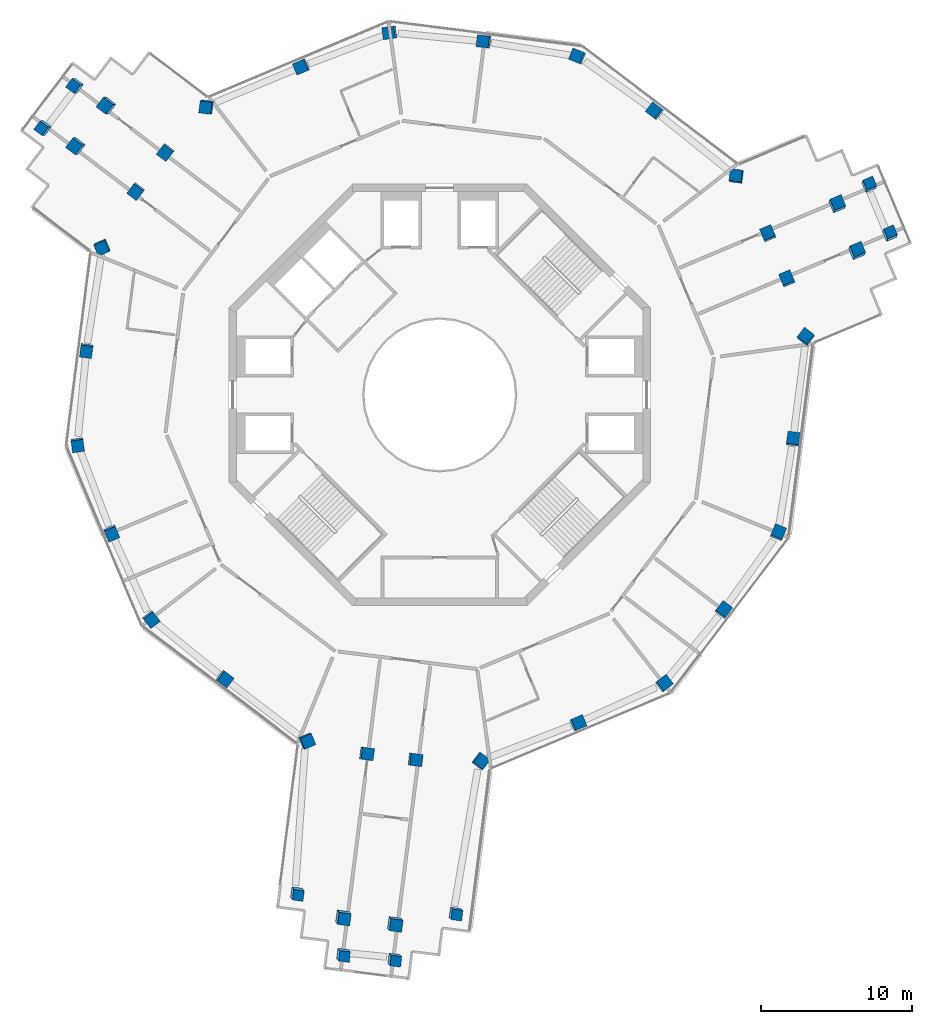
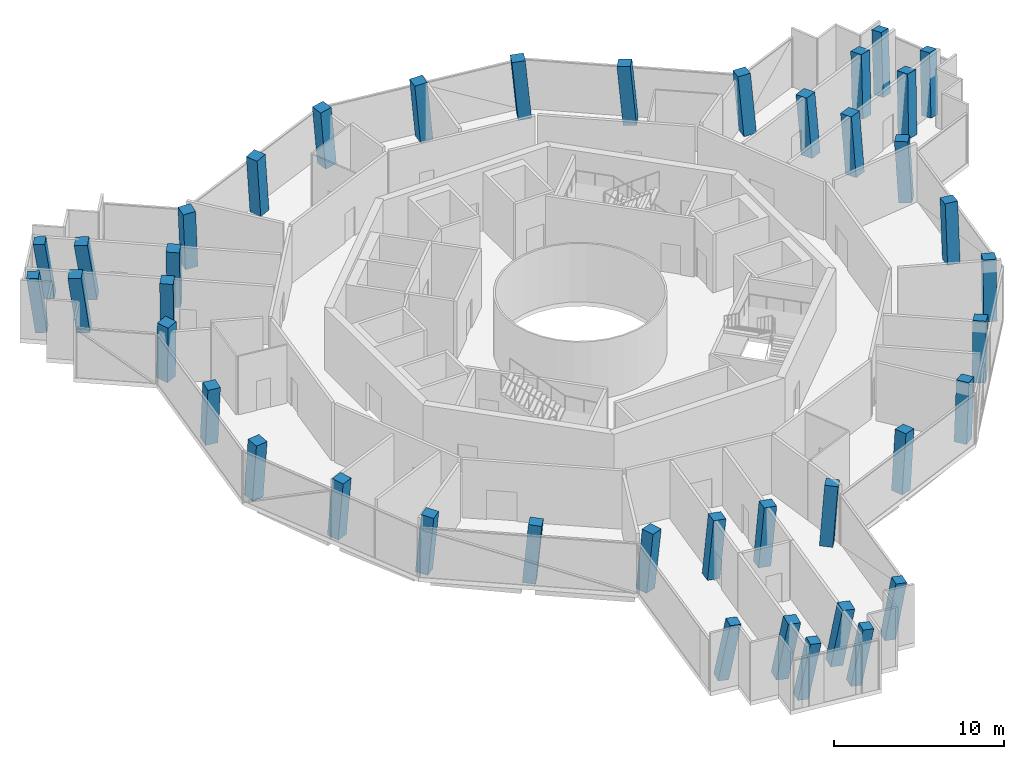
# One storey, part 1 of 18: 41 columns.
"""IFC4 building model written with IfcOpenShell, lengths in metres."""

from ifc_helpers import new_model, si_unit, direction, frame, origin, origin_2d, place, context, subcontext, project, spatial, rectangle, extrude, material, material_profile, profile_set, type_object, element, save


model = new_model("IFC4")

# Units and contexts
model_context = context("Model", 3, precision=1e-05, world=origin(), true_north=direction((0.0, 1.0)))
body_context = subcontext(model_context, "Body", "Model", "MODEL_VIEW")
ifc_project = project(units=[si_unit("LENGTHUNIT", "METRE"), si_unit("AREAUNIT", "SQUARE_METRE"), si_unit("VOLUMEUNIT", "CUBIC_METRE"), si_unit("PLANEANGLEUNIT", "RADIAN"), si_unit("MASSUNIT", "GRAM", prefix="KILO")], contexts=[model_context])

# Site, building, storey
site_placement = place(None, origin())
site = spatial("IfcSite", under=ifc_project, at=site_placement, CompositionType="ELEMENT")
building_placement = place(site_placement, origin())
building = spatial("IfcBuilding", under=site, at=building_placement, Name="Verdalira Terraces Hotel", CompositionType="ELEMENT")
storey_placement = place(building_placement, frame((0.0, 0.0, 248.0)))
storey = spatial("IfcBuildingStorey", under=building, at=storey_placement, Name="L61", CompositionType="ELEMENT", Elevation=248.0)

# Columns
ifc_material_1 = material(Name="Concrete C50", Category="concrete")
ifc_material_profile_1 = material_profile(ifc_material_1, rectangle(XDim=0.699951, YDim=0.699951, at=origin_2d()), Name="RC 700X700")
ifc_profile_set_1 = profile_set([ifc_material_profile_1], Name="Concrete C50")
column_type_1 = type_object("IfcColumnType", Name="Column RC 700X700 C50", PredefinedType="COLUMN", material=ifc_profile_set_1)
column_1_placement = place(storey_placement, frame((-9.520264, -33.072998, 0.0), z_axis=(0.108755102, -0.14884387, 0.982862061), x_axis=(-0.14114971, -0.981020874, -0.132946623)))
element("IfcColumn", 1, at=column_1_placement, inside=storey, type_object=column_type_1, Name="Column C08", PredefinedType="COLUMN", context=body_context, shape_type="SweptSolid", body=[
    extrude(rectangle(XDim=0.699951, YDim=0.699951, at=origin_2d()), origin(), (0.0, 0.0, 1.0), 4.262939),
])
column_2_placement = place(storey_placement, frame((-6.466797, -37.147705, 0.0), z_axis=(0.12351827, -0.13754793, 0.982763351), x_axis=(0.984489894, -0.107355063, -0.138760725)))
element("IfcColumn", 2, at=column_2_placement, inside=storey, type_object=column_type_1, Name="Column C09", PredefinedType="COLUMN", context=body_context, shape_type="SweptSolid", body=[
    extrude(rectangle(XDim=0.699951, YDim=0.699951, at=origin_2d()), origin(), (0.0, 0.0, 1.0), 4.263428),
])
column_3_placement = place(storey_placement, frame((-3.061279, -37.477295, 0.0), z_axis=(0.124850595, -0.125252044, 0.984237905), x_axis=(0.984325709, -0.108901646, -0.138720328)))
element("IfcColumn", 3, at=column_3_placement, inside=storey, type_object=column_type_1, Name="Column C10", PredefinedType="COLUMN", context=body_context, shape_type="SweptSolid", body=[
    extrude(rectangle(XDim=0.699951, YDim=0.699951, at=origin_2d()), origin(), (0.0, 0.0, 1.0), 4.25708),
])
column_4_placement = place(storey_placement, frame((1.013428, -34.423828, 0.0), z_axis=(0.113905976, -0.110741921, 0.987300185), x_axis=(0.136689696, 0.986064189, 0.094833234)))
element("IfcColumn", 4, at=column_4_placement, inside=storey, type_object=column_type_1, Name="Column C11", PredefinedType="COLUMN", context=body_context, shape_type="SweptSolid", body=[
    extrude(rectangle(XDim=0.699951, YDim=0.699951, at=origin_2d()), origin(), (0.0, 0.0, 1.0), 4.243896),
])
column_5_placement = place(storey_placement, frame((29.873291, 10.648438, 0.0), z_axis=(0.066154101, 0.156024907, 0.985535318), x_axis=(-0.398294005, 0.909728206, -0.117288011)))
element("IfcColumn", 5, at=column_5_placement, inside=storey, type_object=column_type_1, Name="Column C19", PredefinedType="COLUMN", context=body_context, shape_type="SweptSolid", body=[
    extrude(rectangle(XDim=0.699951, YDim=0.699951, at=origin_2d()), origin(), (0.0, 0.0, 1.0), 4.251465),
])
column_6_placement = place(storey_placement, frame((28.509033, 13.893311, 0.0), z_axis=(0.054405967, 0.151140466, 0.987013956), x_axis=(-0.396715285, 0.910385425, -0.117538762)))
element("IfcColumn", 6, at=column_6_placement, inside=storey, type_object=column_type_1, Name="Column C20", PredefinedType="COLUMN", context=body_context, shape_type="SweptSolid", body=[
    extrude(rectangle(XDim=0.699951, YDim=0.699951, at=origin_2d()), origin(), (0.0, 0.0, 1.0), 4.245117),
])
column_7_placement = place(storey_placement, frame((-24.158203, 20.546875, 0.0), z_axis=(-0.168254853, -0.020730376, 0.985525523), x_axis=(-0.588684067, -0.799803316, -0.117327428)))
element("IfcColumn", 7, at=column_7_placement, inside=storey, type_object=column_type_1, Name="Column C28", PredefinedType="COLUMN", context=body_context, shape_type="SweptSolid", body=[
    extrude(rectangle(XDim=0.699951, YDim=0.699951, at=origin_2d()), origin(), (0.0, 0.0, 1.0), 4.251465),
])
column_8_placement = place(storey_placement, frame((-26.286621, 17.74292, 0.0), z_axis=(-0.158099438, -0.028410739, 0.987014386), x_axis=(-0.59027214, -0.798601211, -0.117536832)))
element("IfcColumn", 8, at=column_8_placement, inside=storey, type_object=column_type_1, Name="Column C29", PredefinedType="COLUMN", context=body_context, shape_type="SweptSolid", body=[
    extrude(rectangle(XDim=0.699951, YDim=0.699951, at=origin_2d()), origin(), (0.0, 0.0, 1.0), 4.245117),
])
ifc_material_2 = material(Name="Concrete C50", Category="concrete")
ifc_material_profile_2 = material_profile(ifc_material_2, rectangle(XDim=0.800049, YDim=0.800049, at=origin_2d()), Name="RC 800X800")
ifc_profile_set_2 = profile_set([ifc_material_profile_2], Name="Concrete C50")
column_type_2 = type_object("IfcColumnType", Name="Column RC 800X800 C50", PredefinedType="COLUMN", material=ifc_profile_set_2)
column_9_placement = place(storey_placement, frame((-22.422119, 9.838135, 0.0), z_axis=(-0.035745056, -0.083443816, 0.995871187), x_axis=(-0.390892531, 0.918283759, 0.062912379)))
element("IfcColumn", 9, at=column_9_placement, inside=storey, type_object=column_type_2, Name="Column C01", PredefinedType="COLUMN", context=body_context, shape_type="SweptSolid", body=[
    extrude(rectangle(XDim=0.800049, YDim=0.800049, at=origin_2d()), origin(), (0.0, 0.0, 1.0), 4.207275),
])
column_10_placement = place(storey_placement, frame((-23.47168, 2.965088, 0.0), z_axis=(-0.01027372, -0.087123468, 0.996144544), x_axis=(-0.125007093, -0.988270066, -0.08772402)))
element("IfcColumn", 10, at=column_10_placement, inside=storey, type_object=column_type_2, Name="Column C02", PredefinedType="COLUMN", context=body_context, shape_type="SweptSolid", body=[
    extrude(rectangle(XDim=0.800049, YDim=0.800049, at=origin_2d()), origin(), (0.0, 0.0, 1.0), 4.206055),
])
column_11_placement = place(storey_placement, frame((-24.061279, -3.295898, 0.0), z_axis=(0.01299903, -0.089136206, 0.995934617), x_axis=(-0.13539081, 0.986689244, 0.090075878)))
element("IfcColumn", 11, at=column_11_placement, inside=storey, type_object=column_type_2, Name="Column C03", PredefinedType="COLUMN", context=body_context, shape_type="SweptSolid", body=[
    extrude(rectangle(XDim=0.800049, YDim=0.800049, at=origin_2d()), origin(), (0.0, 0.0, 1.0), 4.207031),
])
column_12_placement = place(storey_placement, frame((-21.809814, -9.167969, 0.0), z_axis=(0.034709931, -0.080622231, 0.996140189), x_axis=(0.386169745, -0.918242206, -0.087773449)))
element("IfcColumn", 12, at=column_12_placement, inside=storey, type_object=column_type_2, Name="Column C04", PredefinedType="COLUMN", context=body_context, shape_type="SweptSolid", body=[
    extrude(rectangle(XDim=0.800049, YDim=0.800049, at=origin_2d()), origin(), (0.0, 0.0, 1.0), 4.206055),
])
column_13_placement = place(storey_placement, frame((-19.189697, -14.88501, 0.0), z_axis=(0.055826239, -0.070682286, 0.995935463), x_axis=(-0.610668678, 0.7867476, 0.090066533)))
element("IfcColumn", 13, at=column_13_placement, inside=storey, type_object=column_type_2, Name="Column C05", PredefinedType="COLUMN", context=body_context, shape_type="SweptSolid", body=[
    extrude(rectangle(XDim=0.800049, YDim=0.800049, at=origin_2d()), origin(), (0.0, 0.0, 1.0), 4.207031),
])
column_14_placement = place(storey_placement, frame((-14.303711, -18.844482, 0.0), z_axis=(0.07029089, -0.052471482, 0.996145539), x_axis=(0.793199659, -0.602611632, -0.08771272)))
element("IfcColumn", 14, at=column_14_placement, inside=storey, type_object=column_type_2, Name="Column C06", PredefinedType="COLUMN", context=body_context, shape_type="SweptSolid", body=[
    extrude(rectangle(XDim=0.800049, YDim=0.800049, at=origin_2d()), origin(), (0.0, 0.0, 1.0), 4.206055),
])
column_15_placement = place(storey_placement, frame((-8.850342, -22.983887, 0.0), z_axis=(0.085470722, -0.032087786, 0.995823845), x_axis=(-0.382955235, 0.921645672, 0.062566316)))
element("IfcColumn", 15, at=column_15_placement, inside=storey, type_object=column_type_2, Name="Column C07", PredefinedType="COLUMN", context=body_context, shape_type="SweptSolid", body=[
    extrude(rectangle(XDim=0.800049, YDim=0.800049, at=origin_2d()), origin(), (0.0, 0.0, 1.0), 4.20752),
])
column_16_placement = place(storey_placement, frame((2.690918, -24.337158, 0.0), z_axis=(0.090174748, 0.010735089, 0.9958681), x_axis=(-0.60011565, -0.797433563, 0.062935842)))
element("IfcColumn", 16, at=column_16_placement, inside=storey, type_object=column_type_2, Name="Column C12", PredefinedType="COLUMN", context=body_context, shape_type="SweptSolid", body=[
    extrude(rectangle(XDim=0.800049, YDim=0.800049, at=origin_2d()), origin(), (0.0, 0.0, 1.0), 4.207275),
])
column_17_placement = place(storey_placement, frame((9.167969, -21.809814, 0.0), z_axis=(0.080622231, 0.034709931, 0.996140189), x_axis=(0.918242206, 0.386169745, -0.087773449)))
element("IfcColumn", 17, at=column_17_placement, inside=storey, type_object=column_type_2, Name="Column C13", PredefinedType="COLUMN", context=body_context, shape_type="SweptSolid", body=[
    extrude(rectangle(XDim=0.800049, YDim=0.800049, at=origin_2d()), origin(), (0.0, 0.0, 1.0), 4.206055),
])
column_18_placement = place(storey_placement, frame((14.88501, -19.189697, 0.0), z_axis=(0.070682286, 0.055826239, 0.995935463), x_axis=(-0.7867476, -0.610668678, 0.090066533)))
element("IfcColumn", 18, at=column_18_placement, inside=storey, type_object=column_type_2, Name="Column C14", PredefinedType="COLUMN", context=body_context, shape_type="SweptSolid", body=[
    extrude(rectangle(XDim=0.800049, YDim=0.800049, at=origin_2d()), origin(), (0.0, 0.0, 1.0), 4.207031),
])
column_19_placement = place(storey_placement, frame((18.844482, -14.303711, 0.0), z_axis=(0.052471482, 0.07029089, 0.996145539), x_axis=(0.602611632, 0.793199659, -0.08771272)))
element("IfcColumn", 19, at=column_19_placement, inside=storey, type_object=column_type_2, Name="Column C15", PredefinedType="COLUMN", context=body_context, shape_type="SweptSolid", body=[
    extrude(rectangle(XDim=0.800049, YDim=0.800049, at=origin_2d()), origin(), (0.0, 0.0, 1.0), 4.206055),
])
column_20_placement = place(storey_placement, frame((22.485596, -9.17627, 0.0), z_axis=(0.03331005, 0.083681345, 0.995935677), x_axis=(-0.376134687, -0.922177393, 0.09006416)))
element("IfcColumn", 20, at=column_20_placement, inside=storey, type_object=column_type_2, Name="Column C16", PredefinedType="COLUMN", context=body_context, shape_type="SweptSolid", body=[
    extrude(rectangle(XDim=0.800049, YDim=0.800049, at=origin_2d()), origin(), (0.0, 0.0, 1.0), 4.207031),
])
column_21_placement = place(storey_placement, frame((23.47168, -2.965088, 0.0), z_axis=(0.01027372, 0.087123468, 0.996144544), x_axis=(0.125007093, 0.988270066, -0.08772402)))
element("IfcColumn", 21, at=column_21_placement, inside=storey, type_object=column_type_2, Name="Column C17", PredefinedType="COLUMN", context=body_context, shape_type="SweptSolid", body=[
    extrude(rectangle(XDim=0.800049, YDim=0.800049, at=origin_2d()), origin(), (0.0, 0.0, 1.0), 4.206055),
])
column_22_placement = place(storey_placement, frame((24.329834, 3.827148, 0.0), z_axis=(-0.014912349, 0.090112364, 0.995819955), x_axis=(-0.607052933, -0.792192246, 0.062595382)))
element("IfcColumn", 22, at=column_22_placement, inside=storey, type_object=column_type_2, Name="Column C18", PredefinedType="COLUMN", context=body_context, shape_type="SweptSolid", body=[
    extrude(rectangle(XDim=0.800049, YDim=0.800049, at=origin_2d()), origin(), (0.0, 0.0, 1.0), 4.20752),
])
column_23_placement = place(storey_placement, frame((19.731201, 14.499023, 0.0), z_axis=(-0.054371882, 0.07270861, 0.99587005), x_axis=(0.990657115, -0.120993492, 0.062921021)))
element("IfcColumn", 23, at=column_23_placement, inside=storey, type_object=column_type_2, Name="Column C21", PredefinedType="COLUMN", context=body_context, shape_type="SweptSolid", body=[
    extrude(rectangle(XDim=0.800049, YDim=0.800049, at=origin_2d()), origin(), (0.0, 0.0, 1.0), 4.207275),
])
column_24_placement = place(storey_placement, frame((14.303711, 18.844482, 0.0), z_axis=(-0.07029089, 0.052471482, 0.996145539), x_axis=(-0.793199659, 0.602611632, -0.08771272)))
element("IfcColumn", 24, at=column_24_placement, inside=storey, type_object=column_type_2, Name="Column C22", PredefinedType="COLUMN", context=body_context, shape_type="SweptSolid", body=[
    extrude(rectangle(XDim=0.800049, YDim=0.800049, at=origin_2d()), origin(), (0.0, 0.0, 1.0), 4.206055),
])
column_25_placement = place(storey_placement, frame((9.17627, 22.485596, 0.0), z_axis=(-0.083681345, 0.03331005, 0.995935677), x_axis=(0.922177393, -0.376134687, 0.09006416)))
element("IfcColumn", 25, at=column_25_placement, inside=storey, type_object=column_type_2, Name="Column C23", PredefinedType="COLUMN", context=body_context, shape_type="SweptSolid", body=[
    extrude(rectangle(XDim=0.800049, YDim=0.800049, at=origin_2d()), origin(), (0.0, 0.0, 1.0), 4.207031),
])
column_26_placement = place(storey_placement, frame((2.965088, 23.47168, 0.0), z_axis=(-0.087123468, 0.01027372, 0.996144544), x_axis=(-0.988270066, 0.125007093, -0.08772402)))
element("IfcColumn", 26, at=column_26_placement, inside=storey, type_object=column_type_2, Name="Column C24", PredefinedType="COLUMN", context=body_context, shape_type="SweptSolid", body=[
    extrude(rectangle(XDim=0.800049, YDim=0.800049, at=origin_2d()), origin(), (0.0, 0.0, 1.0), 4.206055),
])
column_27_placement = place(storey_placement, frame((-3.295898, 24.061279, 0.0), z_axis=(-0.089136206, -0.01299903, 0.995934617), x_axis=(0.986689244, 0.13539081, 0.090075878)))
element("IfcColumn", 27, at=column_27_placement, inside=storey, type_object=column_type_2, Name="Column C25", PredefinedType="COLUMN", context=body_context, shape_type="SweptSolid", body=[
    extrude(rectangle(XDim=0.800049, YDim=0.800049, at=origin_2d()), origin(), (0.0, 0.0, 1.0), 4.207031),
])
column_28_placement = place(storey_placement, frame((-9.167969, 21.809814, 0.0), z_axis=(-0.080622231, -0.034709931, 0.996140189), x_axis=(-0.918242206, -0.386169745, -0.087773449)))
element("IfcColumn", 28, at=column_28_placement, inside=storey, type_object=column_type_2, Name="Column C26", PredefinedType="COLUMN", context=body_context, shape_type="SweptSolid", body=[
    extrude(rectangle(XDim=0.800049, YDim=0.800049, at=origin_2d()), origin(), (0.0, 0.0, 1.0), 4.206055),
])
column_29_placement = place(storey_placement, frame((-15.479492, 19.156738, 0.0), z_axis=(-0.070500208, -0.058024863, 0.995822693), x_axis=(0.989720442, -0.128599478, 0.062574925)))
element("IfcColumn", 29, at=column_29_placement, inside=storey, type_object=column_type_2, Name="Column C27", PredefinedType="COLUMN", context=body_context, shape_type="SweptSolid", body=[
    extrude(rectangle(XDim=0.800049, YDim=0.800049, at=origin_2d()), origin(), (0.0, 0.0, 1.0), 4.20752),
])
for number, where, z_axis, x_axis, name in (
    (30, (-18.200195, 16.145264, 0.0), (-0.059307216, -0.068011798, 0.995920202), (-0.796257996, 0.60492637, -0.006106629), "Column C30"),
    (31, (-20.168945, 13.551514, 0.0), (-0.049616736, -0.075208526, 0.995932657), (-0.796873081, 0.604117736, 0.005920645), "Column C31"),
):
    element("IfcColumn", number, at=place(storey_placement, frame(where, z_axis=z_axis, x_axis=x_axis)), inside=storey, type_object=column_type_2, Name=name, PredefinedType="COLUMN", context=body_context, shape_type="SweptSolid", body=[
        extrude(rectangle(XDim=0.800049, YDim=0.800049, at=origin_2d()), origin(), (0.0, 0.0, 1.0), 4.207031),
    ])
column_30_placement = place(storey_placement, frame((-22.069824, 19.229492, 0.0), z_axis=(-0.163583471, -0.012990114, 0.986443969), x_axis=(-0.782352343, 0.610831546, -0.12169484)))
element("IfcColumn", 32, at=column_30_placement, inside=storey, type_object=column_type_2, Name="Column C32", PredefinedType="COLUMN", context=body_context, shape_type="SweptSolid", body=[
    extrude(rectangle(XDim=0.800049, YDim=0.800049, at=origin_2d()), origin(), (0.0, 0.0, 1.0), 4.247559),
])
column_31_placement = place(storey_placement, frame((-24.109375, 16.54248, 0.0), z_axis=(-0.153919696, -0.020434365, 0.987872038), x_axis=(-0.784313814, 0.610610878, -0.109572793)))
element("IfcColumn", 33, at=column_31_placement, inside=storey, type_object=column_type_2, Name="Column C33", PredefinedType="COLUMN", context=body_context, shape_type="SweptSolid", body=[
    extrude(rectangle(XDim=0.800049, YDim=0.800049, at=origin_2d()), origin(), (0.0, 0.0, 1.0), 4.241455),
])
for number, where, z_axis, x_axis, name in (
    (34, (-4.88208, -23.834473, 0.0), (0.088497033, -0.017351222, 0.995925304), (-0.125823967, -0.992033812, -0.006102818), "Column C34"),
    (35, (-1.651367, -24.242432, 0.0), (0.089948392, -0.005396904, 0.995931805), (-0.125089423, -0.992127802, 0.005921263), "Column C35"),
):
    element("IfcColumn", number, at=place(storey_placement, frame(where, z_axis=z_axis, x_axis=x_axis)), inside=storey, type_object=column_type_2, Name=name, PredefinedType="COLUMN", context=body_context, shape_type="SweptSolid", body=[
        extrude(rectangle(XDim=0.800049, YDim=0.800049, at=origin_2d()), origin(), (0.0, 0.0, 1.0), 4.207031),
    ])
column_32_placement = place(storey_placement, frame((-6.469971, -34.667969, 0.0), z_axis=(0.114593108, -0.137752495, 0.983815364), x_axis=(-0.140389345, -0.982645696, -0.121236412)))
element("IfcColumn", 36, at=column_32_placement, inside=storey, type_object=column_type_2, Name="Column C36", PredefinedType="COLUMN", context=body_context, shape_type="SweptSolid", body=[
    extrude(rectangle(XDim=0.800049, YDim=0.800049, at=origin_2d()), origin(), (0.0, 0.0, 1.0), 4.258789),
])
column_33_placement = place(storey_placement, frame((-3.023438, -35.103271, 0.0), z_axis=(0.11625643, -0.125327302, 0.985280422), x_axis=(-0.139013458, -0.984295662, -0.108799393)))
element("IfcColumn", 37, at=column_33_placement, inside=storey, type_object=column_type_2, Name="Column C37", PredefinedType="COLUMN", context=body_context, shape_type="SweptSolid", body=[
    extrude(rectangle(XDim=0.800049, YDim=0.800049, at=origin_2d()), origin(), (0.0, 0.0, 1.0), 4.252441),
])
for number, where, z_axis, x_axis, name in (
    (38, (23.082275, 7.689209, 0.0), (-0.02924755, 0.085305353, 0.995925488), (0.921919133, 0.387334311, -0.00610268), "Column C38"),
    (39, (21.820312, 10.691162, 0.0), (-0.040331805, 0.080547548, 0.995934455), (0.921538038, 0.388242973, 0.005919339), "Column C39"),
):
    element("IfcColumn", number, at=place(storey_placement, frame(where, z_axis=z_axis, x_axis=x_axis)), inside=storey, type_object=column_type_2, Name=name, PredefinedType="COLUMN", context=body_context, shape_type="SweptSolid", body=[
        extrude(rectangle(XDim=0.800049, YDim=0.800049, at=origin_2d()), origin(), (0.0, 0.0, 1.0), 4.207031),
    ])
column_34_placement = place(storey_placement, frame((27.687988, 9.498291, 0.0), z_axis=(0.07058307, 0.148178464, 0.986438631), x_axis=(0.920238669, 0.371948068, -0.121718635)))
element("IfcColumn", 40, at=column_34_placement, inside=storey, type_object=column_type_2, Name="Column C40", PredefinedType="COLUMN", context=body_context, shape_type="SweptSolid", body=[
    extrude(rectangle(XDim=0.800049, YDim=0.800049, at=origin_2d()), origin(), (0.0, 0.0, 1.0), 4.247559),
])
column_35_placement = place(storey_placement, frame((26.380859, 12.608154, 0.0), z_axis=(0.059231115, 0.143501621, 0.987875984), x_axis=(0.920903932, 0.374077042, -0.109555076)))
element("IfcColumn", 41, at=column_35_placement, inside=storey, type_object=column_type_2, Name="Column C41", PredefinedType="COLUMN", context=body_context, shape_type="SweptSolid", body=[
    extrude(rectangle(XDim=0.800049, YDim=0.800049, at=origin_2d()), origin(), (0.0, 0.0, 1.0), 4.241455),
])

save(model, "model.ifc")
